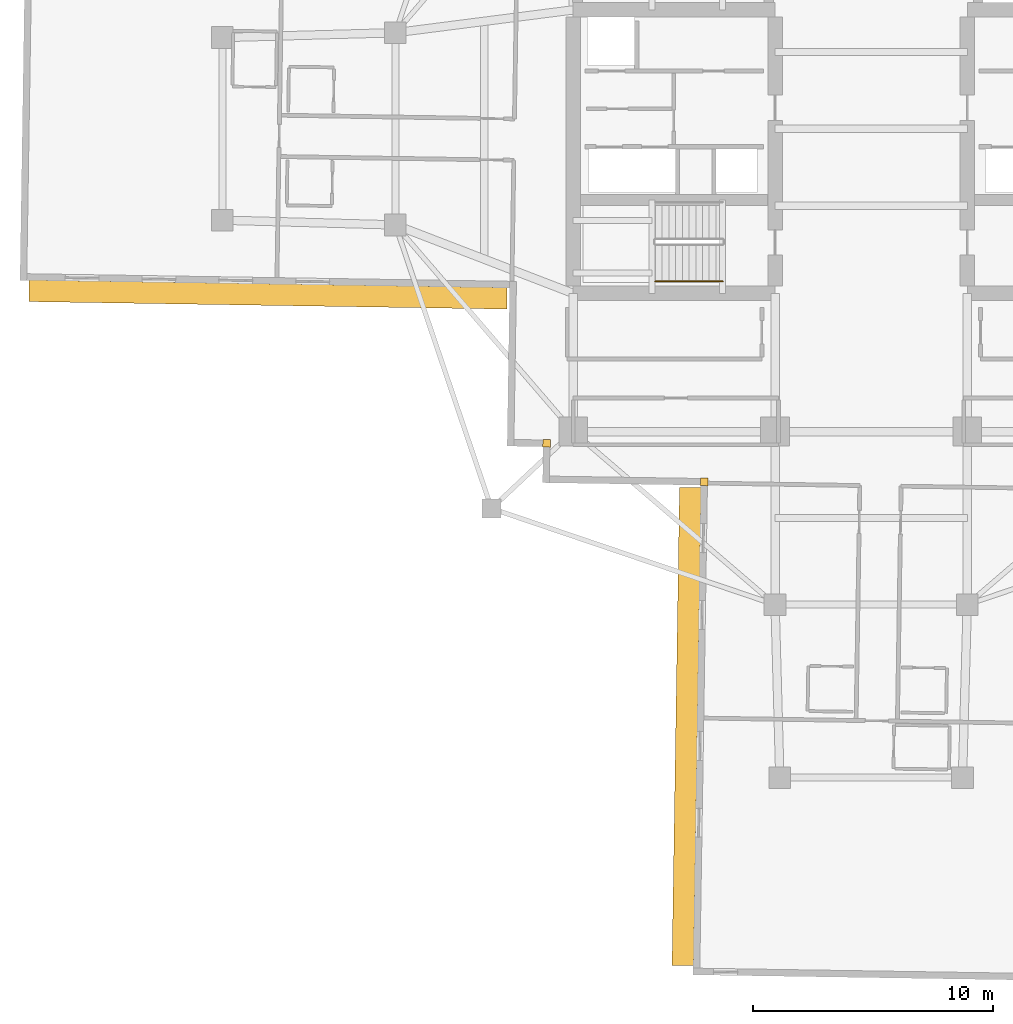
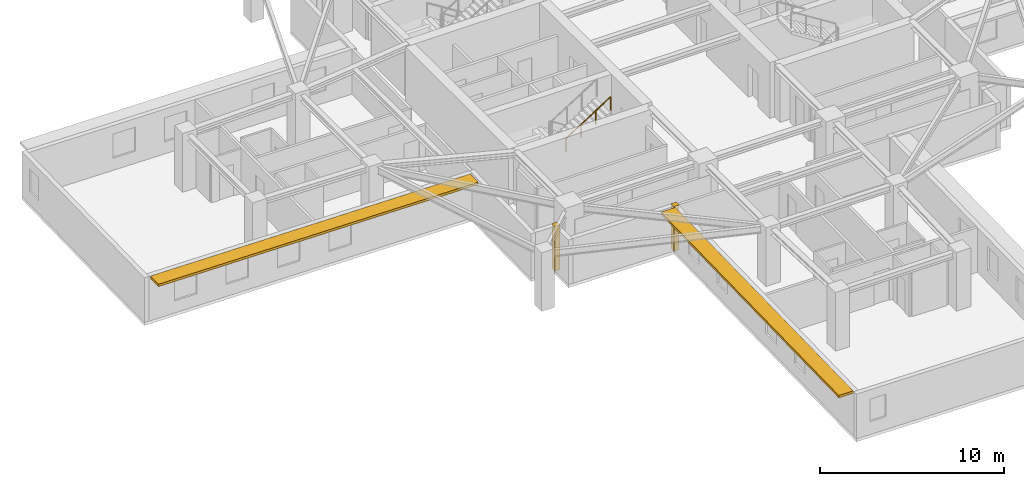
# One storey, part 9 of 13: 2 coverings, 2 shading devices, 1 railing.
"""IFC4 building model written with IfcOpenShell, lengths in metres."""

from ifc_helpers import new_model, si_unit, direction, frame, origin, origin_2d, place, context, subcontext, project, spatial, rectangle, circle, extrude, material, layer, layer_set, type_object, element, save


model = new_model("IFC4")

# Units and contexts
model_context = context("Model", 3, precision=1e-05, world=origin(), true_north=direction((0.0, 1.0)))
body_context = subcontext(model_context, "Body", "Model", "MODEL_VIEW")
ifc_project = project(units=[si_unit("LENGTHUNIT", "METRE"), si_unit("AREAUNIT", "SQUARE_METRE"), si_unit("VOLUMEUNIT", "CUBIC_METRE"), si_unit("PLANEANGLEUNIT", "RADIAN"), si_unit("MASSUNIT", "GRAM", prefix="KILO")], contexts=[model_context])

# Site, building, storey
site_placement = place(None, origin())
site = spatial("IfcSite", under=ifc_project, at=site_placement, CompositionType="ELEMENT")
building_placement = place(site_placement, origin())
building = spatial("IfcBuilding", under=site, at=building_placement, Name="Qingluan Cross Belvedere", CompositionType="ELEMENT")
storey_placement = place(building_placement, frame((0.0, 0.0, 180.0)))
storey = spatial("IfcBuildingStorey", under=building, at=storey_placement, Name="L45", CompositionType="ELEMENT", Elevation=180.0)

# Coverings
ifc_material_1 = material(Name="Precast concrete C45", Category="concrete")
ifc_layer_1 = layer(ifc_material_1, 0.1201171875, Name="ConcreteSpandrelCladding_120")
ifc_layer_set_1 = layer_set([ifc_layer_1], Name="Precast concrete C45")
covering_type = type_object("IfcCoveringType", Name="ConcreteSpandrelCladding_120", PredefinedType="CLADDING", material=ifc_layer_set_1)
for number, where, z_axis, x_axis, name in (
    (1, (-13.50732421875, -13.089599609375, 0.0), (0.0, 0.0, 1.0), (0.999876632482, -0.015707317312, 0.0), "Corner closure L45-SW1"),
    (2, (-6.95166015625, -14.692626953125, 0.0), (0.0, 0.0, 1.0), (0.999876632482, -0.015707317312, 0.0), "Corner closure L45-SW2"),
):
    element("IfcCovering", number, at=place(storey_placement, frame(where, z_axis=z_axis, x_axis=x_axis)), inside=storey, type_object=covering_type, Name=name, PredefinedType="CLADDING", context=body_context, shape_type="SweptSolid", body=[
        extrude(rectangle(XDim=0.320068359375, YDim=0.320068359375, at=origin_2d()), origin(), (0.0, 0.0, 1.0), 2.969970703125),
    ])

# Shading devices
ifc_material_2 = material(Name="Precast concrete C45", Category="concrete")
ifc_layer_2 = layer(ifc_material_2, 0.159912109375, Name="ConcreteSunshadeBand_900")
ifc_layer_set_2 = layer_set([ifc_layer_2], Name="Precast concrete C45")
shading_device_type = type_object("IfcShadingDeviceType", Name="ConcreteSunshadeBand_900", PredefinedType="USERDEFINED", material=ifc_layer_set_2)
for number, where, z_axis, x_axis, name in (
    (3, (-25.101318359375, -6.896484375, 2.7900390625), (0.0, 0.0, 1.0), (0.999876645576, -0.015706483741, 0.0), "Concrete SUNSHADE L45-WB"),
    (4, (-7.681640625, -24.872314453125, 2.7900390625), (0.0, 0.0, 1.0), (-0.015711457647, -0.999876567432, 0.0), "Concrete SUNSHADE L45-SA"),
):
    element("IfcShadingDevice", number, at=place(storey_placement, frame(where, z_axis=z_axis, x_axis=x_axis)), inside=storey, type_object=shading_device_type, Name=name, ObjectType="SUNSHADE", PredefinedType="USERDEFINED", context=body_context, shape_type="SweptSolid", body=[
        extrude(rectangle(XDim=19.89990234375, YDim=0.89990234375, at=origin_2d()), origin(), (0.0, 0.0, 1.0), 0.159912109375),
    ])

# Railing
ifc_material_3 = material(Name="Brushed stainless steel tubular handrail", Category="steel")
railing_type = type_object("IfcRailingType", Name="StairPitchHandrail_900", PredefinedType="HANDRAIL", material=ifc_material_3)
railing_placement = place(storey_placement, frame((-8.97998046875, -6.35009765625, 2.127197265625)))
element("IfcRailing", 5, at=railing_placement, inside=storey, type_object=railing_type, Name="L45 ST1 stair handrail 2", PredefinedType="HANDRAIL", context=body_context, shape_type="SweptSolid", body=[
    extrude(circle(Radius=0.02392578125, at=origin_2d()), frame((0.0, 0.0, 0.8759765625), z_axis=(0.844908973607, 0.0, 0.534910110503), x_axis=(0.0, 1.0, 0.0)), (0.0, 0.0, 1.0), 3.31396484375),
    extrude(circle(Radius=0.02099609375, at=origin_2d()), origin(), (0.0, 0.0, 1.0), 0.851806640625),
    extrude(circle(Radius=0.02099609375, at=origin_2d()), frame((0.933349609375, 0.0, 0.5908203125)), (0.0, 0.0, 1.0), 0.851806640625),
    extrude(circle(Radius=0.02099609375, at=origin_2d()), frame((1.86669921875, 0.0, 1.181884765625)), (0.0, 0.0, 1.0), 0.851806640625),
    extrude(circle(Radius=0.02099609375, at=origin_2d()), frame((2.800048828125, 0.0, 1.772705078125)), (0.0, 0.0, 1.0), 0.851806640625),
])

save(model, "model.ifc")
